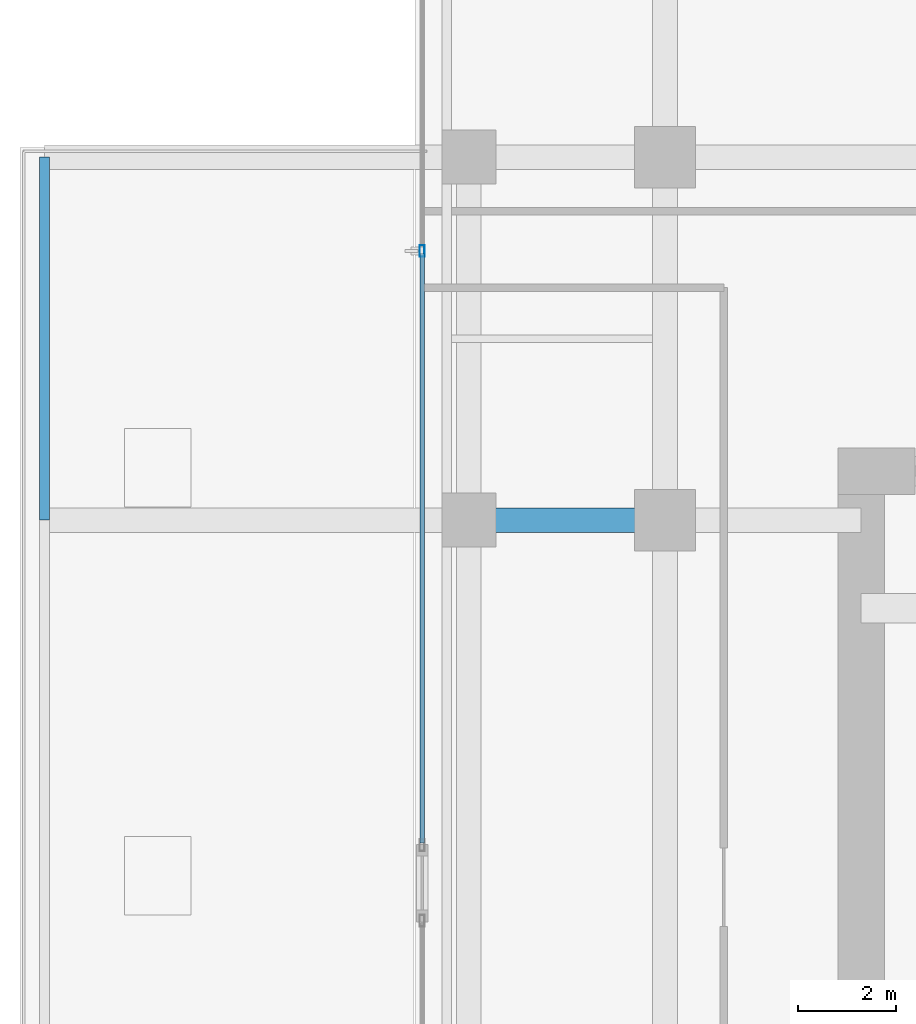
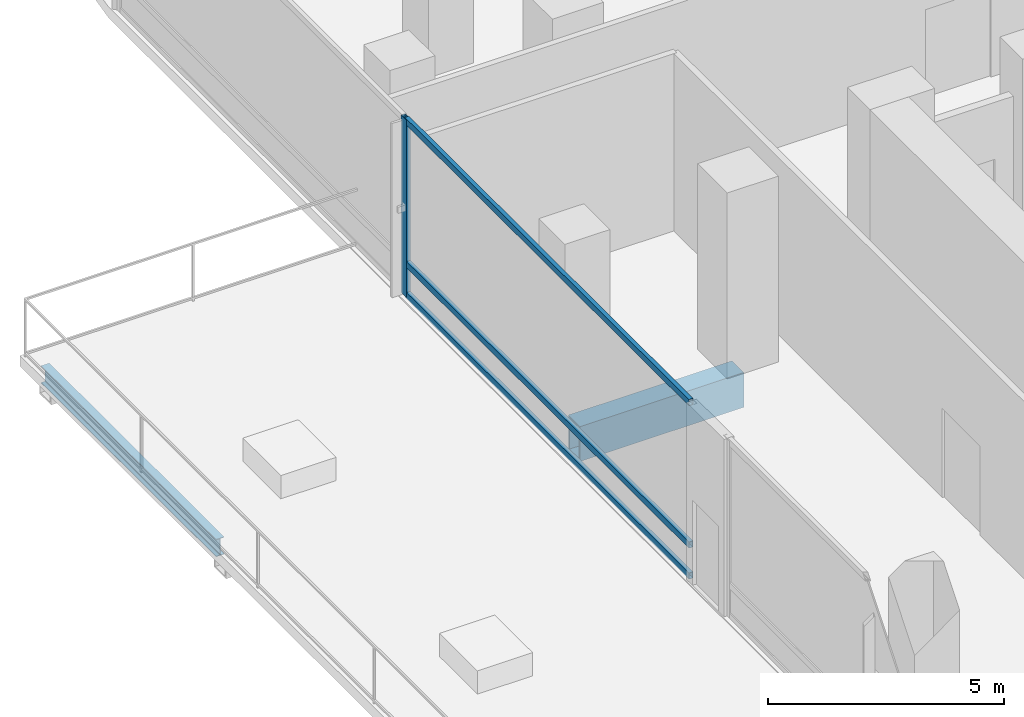
# One storey, part 6 of 28: 4 members, 2 beams, 1 element without a shape of its own.
"""IFC4 building model written with IfcOpenShell, lengths in metres."""

from ifc_helpers import new_model, si_unit, direction, frame, origin, origin_2d, place, context, subcontext, project, spatial, hollow_rectangle, i_section, extrude, material, layer, layer_set, material_profile, profile_set, type_object, element, aggregate, save


model = new_model("IFC4")

# Units and contexts
model_context = context("Model", 3, precision=1e-05, world=origin(), true_north=direction((0.0, 1.0)))
body_context = subcontext(model_context, "Body", "Model", "MODEL_VIEW")
ifc_project = project(units=[si_unit("LENGTHUNIT", "METRE"), si_unit("AREAUNIT", "SQUARE_METRE"), si_unit("VOLUMEUNIT", "CUBIC_METRE"), si_unit("PLANEANGLEUNIT", "RADIAN"), si_unit("MASSUNIT", "GRAM", prefix="KILO")], contexts=[model_context])

# Site, building, storey
site_placement = place(None, origin())
site = spatial("IfcSite", under=ifc_project, at=site_placement, CompositionType="ELEMENT")
building_placement = place(site_placement, origin())
building = spatial("IfcBuilding", under=site, at=building_placement, Name="Khorvyn Point Tower", CompositionType="ELEMENT")
storey_placement = place(building_placement, frame((0.0, 0.0, 108.60009765625)))
storey = spatial("IfcBuildingStorey", under=building, at=storey_placement, Name="L27", CompositionType="ELEMENT", Elevation=108.60009765625)

# Curtain wall, members
ifc_material_1 = material(Name="Anodised aluminium 6063-T6 and laminated Low-E glass", Category="aluminium")
ifc_layer = layer(ifc_material_1, 0.18994140625)
ifc_layer_set = layer_set([ifc_layer], Name="Stick-Built Sky-Lobby Curtain Wall CW-SYS-05")
curtain_wall_type = type_object("IfcCurtainWallType", Name="Stick-Built Sky-Lobby Curtain Wall CW-SYS-05", PredefinedType="NOTDEFINED", material=ifc_layer_set)
curtain_wall_placement = place(storey_placement, origin())
curtain_wall = element("IfcCurtainWall", 1, at=curtain_wall_placement, inside=storey, type_object=curtain_wall_type, Name="Curtain Wall", PredefinedType="NOTDEFINED")
ifc_material_2 = material(Name="Anodised aluminium 6063-T6", Category="aluminium")
ifc_material_profile_1 = material_profile(ifc_material_2, hollow_rectangle(XDim=0.10009765625, YDim=0.239990234375, WallThickness=0.0048828125, at=origin_2d()))
ifc_profile_set_1 = profile_set([ifc_material_profile_1], Name="Anodised aluminium 6063-T6 ALU-MUL-100x240")
member_type_1 = type_object("IfcMemberType", Name="Anodised Aluminium 6063-T6 Mullion ALU-MUL-100x240", PredefinedType="MULLION", material=ifc_profile_set_1)
member_1_placement = place(storey_placement, frame((-19.75, 12.885009765625, 0.0), z_axis=(0.0, 0.0, 1.0), x_axis=(-1.0, 0.0, 0.0)))
member_1 = element("IfcMember", 2, at=member_1_placement, type_object=member_type_1, Name="Transom", PredefinedType="MULLION", context=body_context, shape_type="SweptSolid", body=[
    extrude(hollow_rectangle(XDim=0.10009765625, YDim=0.239990234375, WallThickness=0.0048828125, at=origin_2d()), origin(), (0.0, 0.0, 1.0), 4.579833984375),
])
ifc_material_profile_2 = material_profile(ifc_material_2, hollow_rectangle(XDim=0.10009765625, YDim=0.159912109375, WallThickness=0.00439453125, at=origin_2d()))
ifc_profile_set_2 = profile_set([ifc_material_profile_2], Name="Anodised aluminium 6063-T6 ALU-TRN-100x160")
member_type_2 = type_object("IfcMemberType", Name="Anodised Aluminium 6063-T6 Transom ALU-TRN-100x160", PredefinedType="USERDEFINED", material=ifc_profile_set_2)
member_2_placement = place(storey_placement, frame((-19.75, 0.820068359375, 0.0498046875), z_axis=(0.0, 1.0, 0.0), x_axis=(-1.0, 0.0, 0.0)))
member_2 = element("IfcMember", 3, at=member_2_placement, type_object=member_type_2, Name="Transom", ObjectType="TRANSOM", PredefinedType="USERDEFINED", context=body_context, shape_type="SweptSolid", body=[
    extrude(hollow_rectangle(XDim=0.10009765625, YDim=0.159912109375, WallThickness=0.00439453125, at=origin_2d()), origin(), (0.0, 0.0, 1.0), 12.014892578125),
])
member_3_placement = place(storey_placement, frame((-19.75, 0.820068359375, 0.849853515625), z_axis=(0.0, 1.0, 0.0), x_axis=(-1.0, 0.0, 0.0)))
member_3 = element("IfcMember", 4, at=member_3_placement, type_object=member_type_2, Name="Transom", ObjectType="TRANSOM", PredefinedType="USERDEFINED", context=body_context, shape_type="SweptSolid", body=[
    extrude(hollow_rectangle(XDim=0.10009765625, YDim=0.159912109375, WallThickness=0.00439453125, at=origin_2d()), origin(), (0.0, 0.0, 1.0), 12.014892578125),
])
member_4_placement = place(storey_placement, frame((-19.75, 0.820068359375, 4.52978515625), z_axis=(0.0, 1.0, 0.0), x_axis=(-1.0, 0.0, 0.0)))
member_4 = element("IfcMember", 5, at=member_4_placement, type_object=member_type_2, Name="Transom", ObjectType="TRANSOM", PredefinedType="USERDEFINED", context=body_context, shape_type="SweptSolid", body=[
    extrude(hollow_rectangle(XDim=0.10009765625, YDim=0.159912109375, WallThickness=0.00439453125, at=origin_2d()), origin(), (0.0, 0.0, 1.0), 12.014892578125),
])
aggregate(curtain_wall, [member_1, member_2, member_3, member_4])

# Beams
ifc_material_3 = material(Name="Steel S355", Category="steel")
ifc_material_profile_3 = material_profile(ifc_material_3, i_section(OverallWidth=0.199951171875, OverallDepth=0.449951171875, WebThickness=0.009033203125, FlangeThickness=0.013916015625, at=origin_2d()))
ifc_profile_set_3 = profile_set([ifc_material_profile_3], Name="Steel S355 H450x200x9x14")
beam_type_1 = type_object("IfcBeamType", Name="Steel S355 Spandrel H450x200x9x14", PredefinedType="SPANDREL", material=ifc_profile_set_3)
beam_1_placement = place(storey_placement, frame((-27.449951171875, 7.39990234375, -0.505126953125), z_axis=(0.0, 1.0, 0.0), x_axis=(-1.0, 0.0, 0.0)))
element("IfcBeam", 6, at=beam_1_placement, inside=storey, type_object=beam_type_1, Name="Beam", PredefinedType="SPANDREL", context=body_context, shape_type="SweptSolid", body=[
    extrude(i_section(OverallWidth=0.199951171875, OverallDepth=0.449951171875, WebThickness=0.009033203125, FlangeThickness=0.013916015625, at=origin_2d()), origin(), (0.0, 0.0, 1.0), 7.400146484375),
])
ifc_material_4 = material(Name="Steel S450", Category="steel")
ifc_material_profile_4 = material_profile(ifc_material_4, hollow_rectangle(XDim=0.5, YDim=0.89990234375, WallThickness=0.0400390625, at=origin_2d()))
ifc_profile_set_4 = profile_set([ifc_material_profile_4], Name="Steel S450 BOX900x500x40")
beam_type_2 = type_object("IfcBeamType", Name="Steel S450 Beam BOX900x500x40", PredefinedType="BEAM", material=ifc_profile_set_4)
beam_2_placement = place(storey_placement, frame((-18.800048828125, 7.39990234375, -0.72998046875), z_axis=(1.0, 0.0, 0.0), x_axis=(0.0, 1.0, 0.0)))
element("IfcBeam", 7, at=beam_2_placement, inside=storey, type_object=beam_type_2, Name="Beam", PredefinedType="BEAM", context=body_context, shape_type="SweptSolid", body=[
    extrude(hollow_rectangle(XDim=0.5, YDim=0.89990234375, WallThickness=0.0400390625, at=origin_2d()), origin(), (0.0, 0.0, 1.0), 4.0),
])

save(model, "model.ifc")
